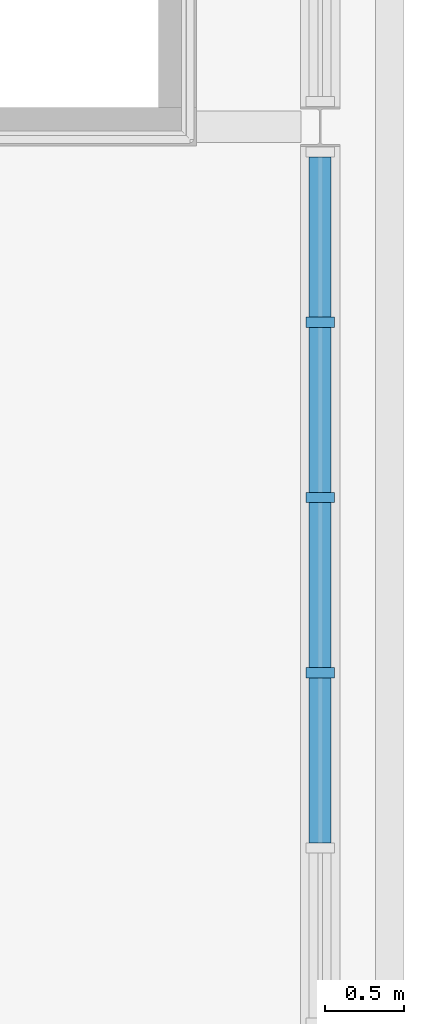
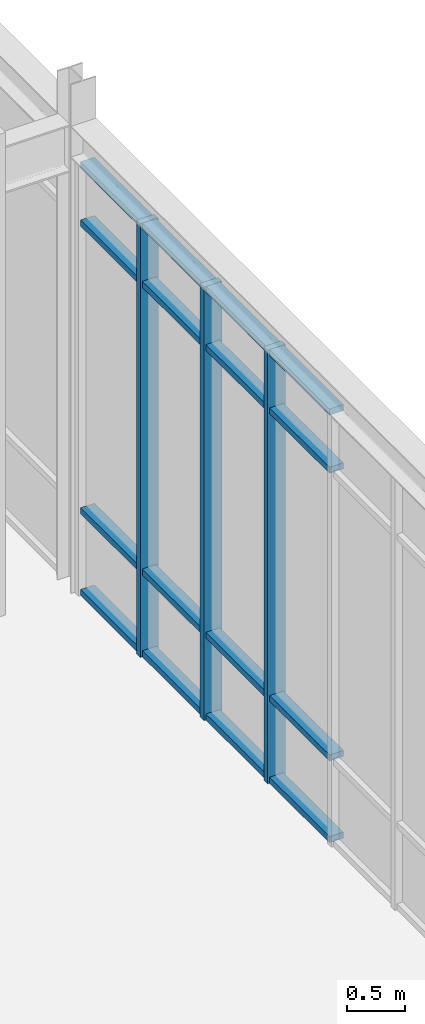
# One storey, part 54 of 108: 19 members, 1 element without a shape of its own.
"""IFC4 building model written with IfcOpenShell, lengths in metres."""

import ifcopenshell
import ifcopenshell.guid

model = None  # the IFC model being written
_history = None  # IfcOwnerHistory: only IFC2X3 demands one
_inside = {}  # id of a spatial element -> (the spatial element, [elements in it])
_under = {}  # id of a project, library or spatial element -> (it, [spatial elements below it])
_declared = {}  # id of a project -> (the project, [libraries it declares])
_typed = {}  # id of a type object -> (the type object, [elements of that type])
_made_of = {}  # id of a material, layer set ... -> (it, [elements and type objects made of it])


def new_model(schema):
    """Start an empty IFC model of exactly this schema.

    Asked for "IFC4X3", IfcOpenShell would pick the latest addendum, in which some entities
    have other attributes; the version numbers below select the first issue.
    IFC2X3 requires an IfcOwnerHistory on every rooted entity: one is made here for all.
    """
    global model, _history
    if schema == "IFC4X3":
        model = ifcopenshell.file(schema_version=(4, 3, 0, 0))
    else:
        model = ifcopenshell.file(schema=schema)
    _inside.clear()
    _under.clear()
    _declared.clear()
    _typed.clear()
    _made_of.clear()
    _history = None
    if model.schema == "IFC2X3":
        org = make("IfcOrganization", Name="unknown")
        user = make(
            "IfcPersonAndOrganization",
            ThePerson=make("IfcPerson", FamilyName="unknown"),
            TheOrganization=org,
        )
        app = make(
            "IfcApplication",
            ApplicationDeveloper=org,
            Version="unknown",
            ApplicationFullName="unknown",
            ApplicationIdentifier="unknown",
        )
        _history = make(
            "IfcOwnerHistory",
            OwningUser=user,
            OwningApplication=app,
            ChangeAction="ADDED",
            CreationDate=0,
        )
    return model


def make(cls, **values):
    """One entity of the class cls with the attributes given. An attribute that is None is left unset."""
    return model.create_entity(
        cls, **{name: value for name, value in values.items() if value is not None}
    )


def rooted(cls, **values):
    """An entity with a GlobalId (a new one), such as an element, a storey or a relation."""
    return make(cls, GlobalId=ifcopenshell.guid.new(), OwnerHistory=_history, **values)


def si_unit(unit_type, name, prefix=None):
    """IfcSIUnit, for example si_unit("LENGTHUNIT", "METRE", prefix="MILLI")."""
    return make("IfcSIUnit", UnitType=unit_type, Prefix=prefix, Name=name)


def assignment(units):
    """IfcUnitAssignment: the units of a project."""
    return None if units is None else make("IfcUnitAssignment", Units=units)


def point(xyz):
    """IfcCartesianPoint."""
    return None if xyz is None else make("IfcCartesianPoint", Coordinates=xyz)


def direction(xyz):
    """IfcDirection."""
    return None if xyz is None else make("IfcDirection", DirectionRatios=xyz)


def frame(location, z_axis=None, x_axis=None):
    """IfcAxis2Placement3D, a coordinate frame: its origin and axes. An axis left out is left unset."""
    return make(
        "IfcAxis2Placement3D",
        Location=point(location),
        Axis=direction(z_axis),
        RefDirection=direction(x_axis),
    )


def frame_2d(location, x_axis=None):
    """IfcAxis2Placement2D, a coordinate frame in the plane: its origin and x axis."""
    return make(
        "IfcAxis2Placement2D", Location=point(location), RefDirection=direction(x_axis)
    )


def origin():
    """The frame at (0, 0, 0) with its axes left unset."""
    return frame((0.0, 0.0, 0.0))


def origin_2d():
    """The frame at (0, 0) in the plane with its x axis left unset."""
    return frame_2d((0.0, 0.0))


def place(relative_to, where):
    """IfcLocalPlacement: puts the frame where relative to a parent placement (None: the world)."""
    return make(
        "IfcLocalPlacement", PlacementRelTo=relative_to, RelativePlacement=where
    )


def context(
    kind, dimensions, precision=None, world=None, true_north=None, identifier=None
):
    """IfcGeometricRepresentationContext, for example the 3D "Model" context."""
    return make(
        "IfcGeometricRepresentationContext",
        ContextIdentifier=identifier,
        ContextType=kind,
        CoordinateSpaceDimension=dimensions,
        Precision=precision,
        WorldCoordinateSystem=world,
        TrueNorth=true_north,
    )


def subcontext(parent, identifier, kind, view, scale=None):
    """IfcGeometricRepresentationSubContext, for example "Body" below "Model"."""
    return make(
        "IfcGeometricRepresentationSubContext",
        ContextIdentifier=identifier,
        ContextType=kind,
        ParentContext=parent,
        TargetScale=scale,
        TargetView=view,
    )


def project(units=None, contexts=None):
    """IfcProject with its units and contexts."""
    return rooted(
        "IfcProject",
        Name="project",
        RepresentationContexts=contexts,
        UnitsInContext=assignment(units),
    )


def spatial(cls, under=None, at=None, **own):
    """A site, building, storey or space (cls), placed at a placement, below another one or the project."""
    s = rooted(cls, ObjectPlacement=at, **own)
    if under is not None:
        _under.setdefault(under.id(), (under, []))[1].append(s)
    return s


def profile(cls, at=None, kind="AREA", **sizes):
    """A parametric profile (cls). Its sizes go by their IFC names, for example OverallWidth=200.0."""
    return make(cls, ProfileType=kind, Position=at, **sizes)


def rectangle(**sizes):
    """IfcRectangleProfileDef."""
    return profile("IfcRectangleProfileDef", **sizes)


def extrude(swept, where, along, depth):
    """IfcExtrudedAreaSolid: the profile swept, set in the frame where, extruded along a direction by depth."""
    return make(
        "IfcExtrudedAreaSolid",
        SweptArea=swept,
        Position=where,
        ExtrudedDirection=direction(along),
        Depth=depth,
    )


def shape(context_of_items, identifier, shape_type, items):
    """IfcShapeRepresentation: the items that make up one representation, for example the "Body"."""
    return make(
        "IfcShapeRepresentation",
        ContextOfItems=context_of_items,
        RepresentationIdentifier=identifier,
        RepresentationType=shape_type,
        Items=items,
    )


def material(Name=None, Category=None):
    """IfcMaterial."""
    return make("IfcMaterial", Name=Name, Category=Category)


def material_profile(
    of_material, cross_section, Name=None, Category=None, Priority=None
):
    """IfcMaterialProfile: a cross section and its material."""
    return make(
        "IfcMaterialProfile",
        Name=Name,
        Material=of_material,
        Profile=cross_section,
        Priority=Priority,
        Category=Category,
    )


def profile_set(profiles, Name=None, composite=None):
    """IfcMaterialProfileSet."""
    return make(
        "IfcMaterialProfileSet",
        Name=Name,
        MaterialProfiles=profiles,
        CompositeProfile=composite,
    )


def made_of(thing, what):
    """Note that an element or type object is made of a material, layer set ...; save() writes the relation."""
    if what is not None:
        _made_of.setdefault(what.id(), (what, []))[1].append(thing)
    return thing


def type_object(cls, material=None, **own):
    """A type object (cls), such as IfcWallType, which elements share."""
    return made_of(rooted(cls, **own), material)


def element(
    cls,
    number,
    at=None,
    inside=None,
    cuts=None,
    type_object=None,
    material=None,
    context=None,
    identifier="Body",
    shape_type=None,
    held_by="IfcProductDefinitionShape",
    body=None,
    shapes=None,
    **own,
):
    """One element of the class cls, such as IfcWall. Its Tag is "e" and its number.

    at: its placement. inside: the storey or other place that contains it. cuts: it is an
    opening in that element (IfcRelVoidsElement). A single representation is given by context,
    identifier, shape_type and body (its items); several are given by shapes. held_by: the class
    of the entity that holds the representations. save() writes the other relations.
    """
    e = rooted(cls, Tag="e%d" % number, ObjectPlacement=at, **own)
    if body is not None:
        shapes = [shape(context, identifier, shape_type, body)]
    if shapes is not None:
        e.Representation = make(held_by, Representations=shapes)
    if inside is not None:
        _inside.setdefault(inside.id(), (inside, []))[1].append(e)
    if cuts is not None:
        rooted(
            "IfcRelVoidsElement", RelatingBuildingElement=cuts, RelatedOpeningElement=e
        )
    if type_object is not None:
        _typed.setdefault(type_object.id(), (type_object, []))[1].append(e)
    return made_of(e, material)


def aggregate(whole, parts):
    """IfcRelAggregates: a whole, such as a stair, and the parts it consists of."""
    return rooted("IfcRelAggregates", RelatingObject=whole, RelatedObjects=parts)


def save(model, path):
    """Write the relations noted so far, then the file.

    IfcRelAggregates (storeys below a building ...), IfcRelContainedInSpatialStructure (elements
    in a storey), IfcRelDefinesByType, IfcRelAssociatesMaterial and IfcRelDeclares: one each for
    every whole, place, type object, material and project.
    """
    for whole, parts in _under.values():
        aggregate(whole, parts)
    for where, things in _inside.values():
        rooted(
            "IfcRelContainedInSpatialStructure",
            RelatedElements=things,
            RelatingStructure=where,
        )
    for kind, things in _typed.values():
        rooted("IfcRelDefinesByType", RelatedObjects=things, RelatingType=kind)
    for what, things in _made_of.values():
        rooted("IfcRelAssociatesMaterial", RelatedObjects=things, RelatingMaterial=what)
    for by, libraries in _declared.values():
        rooted("IfcRelDeclares", RelatingContext=by, RelatedDefinitions=libraries)
    model.write(path)


model = new_model("IFC4")

# Units and contexts
model_context = context("Model", 3, precision=1e-05, world=origin(), true_north=direction((0.0, 1.0)))
body_context = subcontext(model_context, "Body", "Model", "MODEL_VIEW")
ifc_project = project(units=[si_unit("LENGTHUNIT", "METRE"), si_unit("AREAUNIT", "SQUARE_METRE"), si_unit("VOLUMEUNIT", "CUBIC_METRE"), si_unit("PLANEANGLEUNIT", "RADIAN"), si_unit("MASSUNIT", "GRAM", prefix="KILO")], contexts=[model_context])

# Site, building, storey
site_placement = place(None, origin())
site = spatial("IfcSite", under=ifc_project, at=site_placement, CompositionType="ELEMENT")
building_placement = place(site_placement, origin())
building = spatial("IfcBuilding", under=site, at=building_placement, Name="Zhaolan Boulevard Law Courts", CompositionType="ELEMENT")
storey_placement = place(building_placement, frame((0.0, 0.0, 10.800048828125)))
storey = spatial("IfcBuildingStorey", under=building, at=storey_placement, Name="L02", CompositionType="ELEMENT", Elevation=10.800048828125)

# Curtain wall, members
ifc_material_1 = material(Name="Thermally broken aluminium and low-E glazing", Category="aluminium")
curtain_wall_type = type_object("IfcCurtainWallType", Name="CURTAIN WALL M18", PredefinedType="USERDEFINED", material=ifc_material_1)
curtain_wall_placement = place(storey_placement, origin())
curtain_wall = element("IfcCurtainWall", 1, at=curtain_wall_placement, inside=storey, type_object=curtain_wall_type, Name="Curtain Wall CW-L02-090", ObjectType="CURTAIN WALL", PredefinedType="USERDEFINED")
ifc_material_2 = material(Name="Fluorocarbon-coated aluminium 6063-T6", Category="aluminium")
ifc_material_profile_1 = material_profile(ifc_material_2, rectangle(XDim=0.179931640625, YDim=0.06494140625, at=origin_2d()), Name="AL65x180")
ifc_profile_set_1 = profile_set([ifc_material_profile_1], Name="Fluorocarbon-coated aluminium 6063-T6")
member_type_1 = type_object("IfcMemberType", Name="CWMULLION 65X180", PredefinedType="MULLION", material=ifc_profile_set_1)
member_1_placement = place(storey_placement, frame((164.0, 34.55322265625, 0.0), z_axis=(0.0, 0.0, 1.0), x_axis=(-1.0, 0.0, 0.0)))
member_1 = element("IfcMember", 2, at=member_1_placement, type_object=member_type_1, Name="CW-L02-090 mullion 5", PredefinedType="MULLION", context=body_context, shape_type="SweptSolid", body=[
    extrude(rectangle(XDim=0.179931640625, YDim=0.06494140625, at=origin_2d()), origin(), (0.0, 0.0, 1.0), 4.60302734375),
])
member_2_placement = place(storey_placement, frame((164.0, 35.659912109375, 0.0), z_axis=(0.0, 0.0, 1.0), x_axis=(-1.0, 0.0, 0.0)))
member_2 = element("IfcMember", 3, at=member_2_placement, type_object=member_type_1, Name="CW-L02-090 mullion 6", PredefinedType="MULLION", context=body_context, shape_type="SweptSolid", body=[
    extrude(rectangle(XDim=0.179931640625, YDim=0.06494140625, at=origin_2d()), origin(), (0.0, 0.0, 1.0), 4.60302734375),
])
member_3_placement = place(storey_placement, frame((164.0, 36.766357421875, 0.0), z_axis=(0.0, 0.0, 1.0), x_axis=(-1.0, 0.0, 0.0)))
member_3 = element("IfcMember", 4, at=member_3_placement, type_object=member_type_1, Name="CW-L02-090 mullion 7", PredefinedType="MULLION", context=body_context, shape_type="SweptSolid", body=[
    extrude(rectangle(XDim=0.179931640625, YDim=0.06494140625, at=origin_2d()), origin(), (0.0, 0.0, 1.0), 4.60302734375),
])
ifc_material_3 = material(Name="Fluorocarbon-coated aluminium 6063-T6", Category="aluminium")
ifc_material_profile_2 = material_profile(ifc_material_3, rectangle(XDim=0.139892578125, YDim=0.06494140625, at=origin_2d()), Name="AL65x140")
ifc_profile_set_2 = profile_set([ifc_material_profile_2], Name="Fluorocarbon-coated aluminium 6063-T6")
member_type_2 = type_object("IfcMemberType", Name="CWTRANSOM 65X140", PredefinedType="USERDEFINED", material=ifc_profile_set_2)
member_4_placement = place(storey_placement, frame((164.0, 33.479248046875, 0.032470703125), z_axis=(0.0, 1.0, 0.0), x_axis=(-1.0, 0.0, 0.0)))
member_4 = element("IfcMember", 5, at=member_4_placement, type_object=member_type_2, Name="CW-L02-090 transom 4.1", ObjectType="TRANSOM", PredefinedType="USERDEFINED", context=body_context, shape_type="SweptSolid", body=[
    extrude(rectangle(XDim=0.139892578125, YDim=0.06494140625, at=origin_2d()), origin(), (0.0, 0.0, 1.0), 1.04150390625),
])
member_5_placement = place(storey_placement, frame((164.0, 33.479248046875, 0.89990234375), z_axis=(0.0, 1.0, 0.0), x_axis=(-1.0, 0.0, 0.0)))
member_5 = element("IfcMember", 6, at=member_5_placement, type_object=member_type_2, Name="CW-L02-090 transom 4.2", ObjectType="TRANSOM", PredefinedType="USERDEFINED", context=body_context, shape_type="SweptSolid", body=[
    extrude(rectangle(XDim=0.139892578125, YDim=0.06494140625, at=origin_2d()), origin(), (0.0, 0.0, 1.0), 1.04150390625),
])
member_6_placement = place(storey_placement, frame((164.0, 33.479248046875, 3.952880859375), z_axis=(0.0, 1.0, 0.0), x_axis=(-1.0, 0.0, 0.0)))
member_6 = element("IfcMember", 7, at=member_6_placement, type_object=member_type_2, Name="CW-L02-090 transom 4.3", ObjectType="TRANSOM", PredefinedType="USERDEFINED", context=body_context, shape_type="SweptSolid", body=[
    extrude(rectangle(XDim=0.139892578125, YDim=0.06494140625, at=origin_2d()), origin(), (0.0, 0.0, 1.0), 1.04150390625),
])
member_7_placement = place(storey_placement, frame((164.0, 33.479248046875, 4.570556640625), z_axis=(0.0, 1.0, 0.0), x_axis=(-1.0, 0.0, 0.0)))
member_7 = element("IfcMember", 8, at=member_7_placement, type_object=member_type_2, Name="CW-L02-090 transom 4.4", ObjectType="TRANSOM", PredefinedType="USERDEFINED", context=body_context, shape_type="SweptSolid", body=[
    extrude(rectangle(XDim=0.139892578125, YDim=0.06494140625, at=origin_2d()), origin(), (0.0, 0.0, 1.0), 1.04150390625),
])
member_8_placement = place(storey_placement, frame((164.0, 34.585693359375, 0.032470703125), z_axis=(0.0, 1.0, 0.0), x_axis=(-1.0, 0.0, 0.0)))
member_8 = element("IfcMember", 9, at=member_8_placement, type_object=member_type_2, Name="CW-L02-090 transom 5.1", ObjectType="TRANSOM", PredefinedType="USERDEFINED", context=body_context, shape_type="SweptSolid", body=[
    extrude(rectangle(XDim=0.139892578125, YDim=0.06494140625, at=origin_2d()), origin(), (0.0, 0.0, 1.0), 1.041748046875),
])
member_9_placement = place(storey_placement, frame((164.0, 34.585693359375, 0.89990234375), z_axis=(0.0, 1.0, 0.0), x_axis=(-1.0, 0.0, 0.0)))
member_9 = element("IfcMember", 10, at=member_9_placement, type_object=member_type_2, Name="CW-L02-090 transom 5.2", ObjectType="TRANSOM", PredefinedType="USERDEFINED", context=body_context, shape_type="SweptSolid", body=[
    extrude(rectangle(XDim=0.139892578125, YDim=0.06494140625, at=origin_2d()), origin(), (0.0, 0.0, 1.0), 1.041748046875),
])
member_10_placement = place(storey_placement, frame((164.0, 34.585693359375, 3.952880859375), z_axis=(0.0, 1.0, 0.0), x_axis=(-1.0, 0.0, 0.0)))
member_10 = element("IfcMember", 11, at=member_10_placement, type_object=member_type_2, Name="CW-L02-090 transom 5.3", ObjectType="TRANSOM", PredefinedType="USERDEFINED", context=body_context, shape_type="SweptSolid", body=[
    extrude(rectangle(XDim=0.139892578125, YDim=0.06494140625, at=origin_2d()), origin(), (0.0, 0.0, 1.0), 1.041748046875),
])
member_11_placement = place(storey_placement, frame((164.0, 34.585693359375, 4.570556640625), z_axis=(0.0, 1.0, 0.0), x_axis=(-1.0, 0.0, 0.0)))
member_11 = element("IfcMember", 12, at=member_11_placement, type_object=member_type_2, Name="CW-L02-090 transom 5.4", ObjectType="TRANSOM", PredefinedType="USERDEFINED", context=body_context, shape_type="SweptSolid", body=[
    extrude(rectangle(XDim=0.139892578125, YDim=0.06494140625, at=origin_2d()), origin(), (0.0, 0.0, 1.0), 1.041748046875),
])
member_12_placement = place(storey_placement, frame((164.0, 35.6923828125, 0.032470703125), z_axis=(0.0, 1.0, 0.0), x_axis=(-1.0, 0.0, 0.0)))
member_12 = element("IfcMember", 13, at=member_12_placement, type_object=member_type_2, Name="CW-L02-090 transom 6.1", ObjectType="TRANSOM", PredefinedType="USERDEFINED", context=body_context, shape_type="SweptSolid", body=[
    extrude(rectangle(XDim=0.139892578125, YDim=0.06494140625, at=origin_2d()), origin(), (0.0, 0.0, 1.0), 1.04150390625),
])
member_13_placement = place(storey_placement, frame((164.0, 35.6923828125, 0.89990234375), z_axis=(0.0, 1.0, 0.0), x_axis=(-1.0, 0.0, 0.0)))
member_13 = element("IfcMember", 14, at=member_13_placement, type_object=member_type_2, Name="CW-L02-090 transom 6.2", ObjectType="TRANSOM", PredefinedType="USERDEFINED", context=body_context, shape_type="SweptSolid", body=[
    extrude(rectangle(XDim=0.139892578125, YDim=0.06494140625, at=origin_2d()), origin(), (0.0, 0.0, 1.0), 1.04150390625),
])
member_14_placement = place(storey_placement, frame((164.0, 35.6923828125, 3.952880859375), z_axis=(0.0, 1.0, 0.0), x_axis=(-1.0, 0.0, 0.0)))
member_14 = element("IfcMember", 15, at=member_14_placement, type_object=member_type_2, Name="CW-L02-090 transom 6.3", ObjectType="TRANSOM", PredefinedType="USERDEFINED", context=body_context, shape_type="SweptSolid", body=[
    extrude(rectangle(XDim=0.139892578125, YDim=0.06494140625, at=origin_2d()), origin(), (0.0, 0.0, 1.0), 1.04150390625),
])
member_15_placement = place(storey_placement, frame((164.0, 35.6923828125, 4.570556640625), z_axis=(0.0, 1.0, 0.0), x_axis=(-1.0, 0.0, 0.0)))
member_15 = element("IfcMember", 16, at=member_15_placement, type_object=member_type_2, Name="CW-L02-090 transom 6.4", ObjectType="TRANSOM", PredefinedType="USERDEFINED", context=body_context, shape_type="SweptSolid", body=[
    extrude(rectangle(XDim=0.139892578125, YDim=0.06494140625, at=origin_2d()), origin(), (0.0, 0.0, 1.0), 1.04150390625),
])
member_16_placement = place(storey_placement, frame((164.0, 36.798828125, 0.032470703125), z_axis=(0.0, 1.0, 0.0), x_axis=(-1.0, 0.0, 0.0)))
member_16 = element("IfcMember", 17, at=member_16_placement, type_object=member_type_2, Name="CW-L02-090 transom 7.1", ObjectType="TRANSOM", PredefinedType="USERDEFINED", context=body_context, shape_type="SweptSolid", body=[
    extrude(rectangle(XDim=0.139892578125, YDim=0.06494140625, at=origin_2d()), origin(), (0.0, 0.0, 1.0), 1.00927734375),
])
member_17_placement = place(storey_placement, frame((164.0, 36.798828125, 0.89990234375), z_axis=(0.0, 1.0, 0.0), x_axis=(-1.0, 0.0, 0.0)))
member_17 = element("IfcMember", 18, at=member_17_placement, type_object=member_type_2, Name="CW-L02-090 transom 7.2", ObjectType="TRANSOM", PredefinedType="USERDEFINED", context=body_context, shape_type="SweptSolid", body=[
    extrude(rectangle(XDim=0.139892578125, YDim=0.06494140625, at=origin_2d()), origin(), (0.0, 0.0, 1.0), 1.00927734375),
])
member_18_placement = place(storey_placement, frame((164.0, 36.798828125, 3.952880859375), z_axis=(0.0, 1.0, 0.0), x_axis=(-1.0, 0.0, 0.0)))
member_18 = element("IfcMember", 19, at=member_18_placement, type_object=member_type_2, Name="CW-L02-090 transom 7.3", ObjectType="TRANSOM", PredefinedType="USERDEFINED", context=body_context, shape_type="SweptSolid", body=[
    extrude(rectangle(XDim=0.139892578125, YDim=0.06494140625, at=origin_2d()), origin(), (0.0, 0.0, 1.0), 1.00927734375),
])
member_19_placement = place(storey_placement, frame((164.0, 36.798828125, 4.570556640625), z_axis=(0.0, 1.0, 0.0), x_axis=(-1.0, 0.0, 0.0)))
member_19 = element("IfcMember", 20, at=member_19_placement, type_object=member_type_2, Name="CW-L02-090 transom 7.4", ObjectType="TRANSOM", PredefinedType="USERDEFINED", context=body_context, shape_type="SweptSolid", body=[
    extrude(rectangle(XDim=0.139892578125, YDim=0.06494140625, at=origin_2d()), origin(), (0.0, 0.0, 1.0), 1.00927734375),
])
aggregate(curtain_wall, [member_1, member_2, member_3, member_4, member_5, member_6, member_7, member_8, member_9, member_10, member_11, member_12, member_13, member_14, member_15, member_16, member_17, member_18, member_19])

save(model, "model.ifc")
